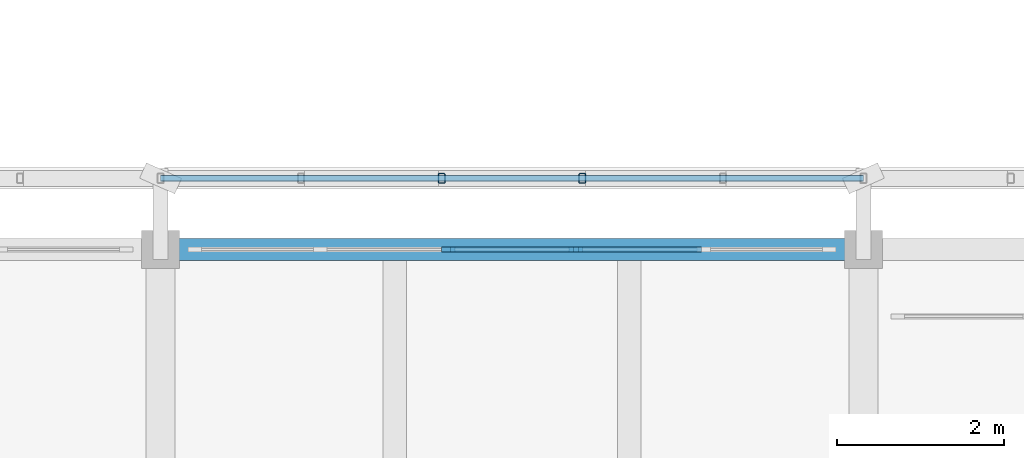
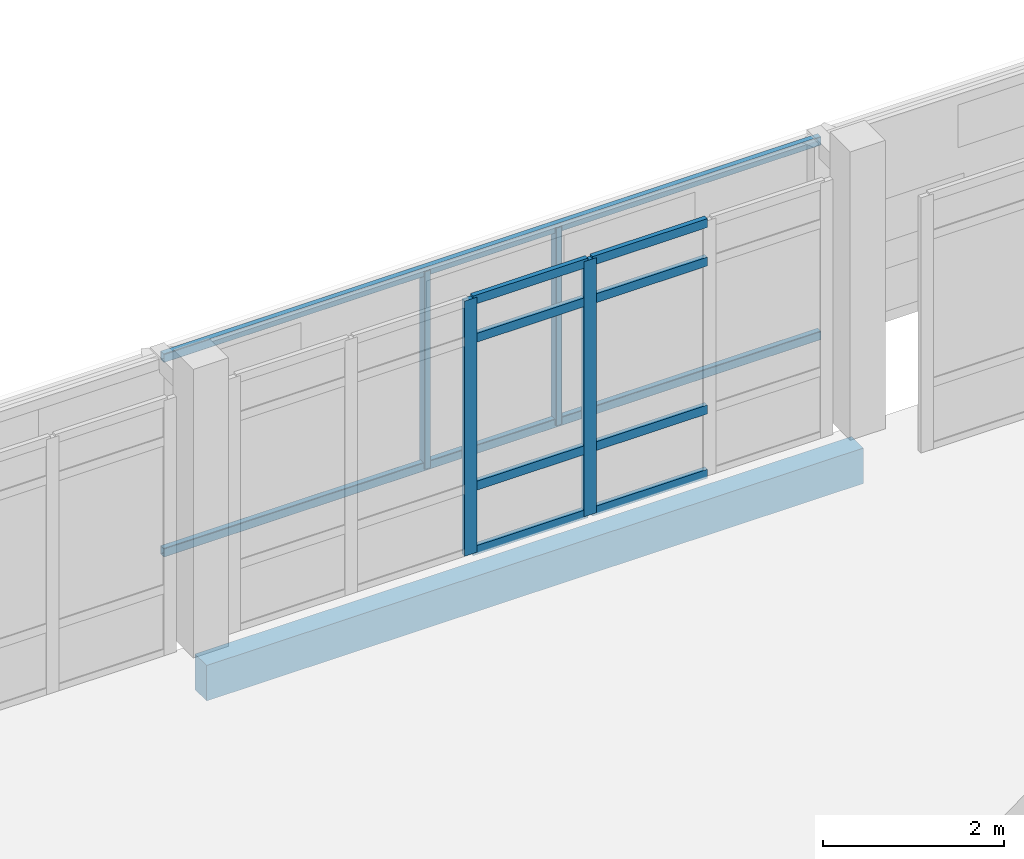
# One storey, part 15 of 117: 14 members, 1 beam, 1 element without a shape of its own.
"""IFC4 building model written with IfcOpenShell, lengths in metres."""

from ifc_helpers import new_model, si_unit, direction, frame, origin, origin_2d, place, context, subcontext, project, spatial, rectangle, hollow_rectangle, extrude, material, material_profile, profile_set, type_object, element, aggregate, save


model = new_model("IFC4")

# Units and contexts
model_context = context("Model", 3, precision=1e-05, world=origin(), true_north=direction((0.0, 1.0)))
body_context = subcontext(model_context, "Body", "Model", "MODEL_VIEW")
ifc_project = project(units=[si_unit("LENGTHUNIT", "METRE"), si_unit("AREAUNIT", "SQUARE_METRE"), si_unit("VOLUMEUNIT", "CUBIC_METRE"), si_unit("PLANEANGLEUNIT", "RADIAN"), si_unit("MASSUNIT", "GRAM", prefix="KILO")], contexts=[model_context])

# Site, building, storey
site_placement = place(None, origin())
site = spatial("IfcSite", under=ifc_project, at=site_placement, CompositionType="ELEMENT")
building_placement = place(site_placement, origin())
building = spatial("IfcBuilding", under=site, at=building_placement, Name="Cinderway Yard Community Centre", CompositionType="ELEMENT")
storey_placement = place(building_placement, frame((0.0, 0.0, 9.0)))
storey = spatial("IfcBuildingStorey", under=building, at=storey_placement, Name="L02", CompositionType="ELEMENT", Elevation=9.0)

# Curtain wall, members
ifc_material_1 = material(Name="Aluminium 6063-T6", Category="aluminium")
curtain_wall_type = type_object("IfcCurtainWallType", Name="ENV-CW-TYPE-29", PredefinedType="USERDEFINED", material=ifc_material_1)
curtain_wall_placement = place(storey_placement, origin())
curtain_wall = element("IfcCurtainWall", 1, at=curtain_wall_placement, inside=storey, type_object=curtain_wall_type, Name="Dining Courtyard Curtain Wall ENV-CW-L02-ST-0102", ObjectType="GLAZED CURTAIN WALL", PredefinedType="USERDEFINED")
ifc_material_profile_1 = material_profile(ifc_material_1, rectangle(XDim=0.06005859375, YDim=0.159912109375, at=origin_2d()), Name="Aluminium 6063-T6")
ifc_profile_set_1 = profile_set([ifc_material_profile_1], Name="Aluminium 6063-T6")
member_type_1 = type_object("IfcMemberType", Name="ENV-CW-MULL-150", PredefinedType="MULLION", material=ifc_profile_set_1)
member_1_placement = place(storey_placement, frame((70.236083984375, 22.800048828125, 0.0), z_axis=(0.0, 0.0, 1.0), x_axis=(0.0, 1.0, 0.0)))
member_1 = element("IfcMember", 2, at=member_1_placement, type_object=member_type_1, Name="CW-29 mullion 3", PredefinedType="MULLION", context=body_context, shape_type="SweptSolid", body=[
    extrude(rectangle(XDim=0.06005859375, YDim=0.159912109375, at=origin_2d()), origin(), (0.0, 0.0, 1.0), 3.449951171875),
])
member_2_placement = place(storey_placement, frame((71.763916015625, 22.800048828125, 0.0), z_axis=(0.0, 0.0, 1.0), x_axis=(0.0, 1.0, 0.0)))
member_2 = element("IfcMember", 3, at=member_2_placement, type_object=member_type_1, Name="CW-29 mullion 4", PredefinedType="MULLION", context=body_context, shape_type="SweptSolid", body=[
    extrude(rectangle(XDim=0.06005859375, YDim=0.159912109375, at=origin_2d()), origin(), (0.0, 0.0, 1.0), 3.449951171875),
])
ifc_material_profile_2 = material_profile(ifc_material_1, rectangle(XDim=0.06005859375, YDim=0.1201171875, at=origin_2d()), Name="Aluminium 6063-T6")
ifc_profile_set_2 = profile_set([ifc_material_profile_2], Name="Aluminium 6063-T6")
member_type_2 = type_object("IfcMemberType", Name="ENV-CW-TRAN-110", PredefinedType="USERDEFINED", material=ifc_profile_set_2)
member_3_placement = place(storey_placement, frame((70.26611328125, 22.800048828125, 0.030029296875), z_axis=(1.0, 0.0, 0.0), x_axis=(0.0, 1.0, 0.0)))
member_3 = element("IfcMember", 4, at=member_3_placement, type_object=member_type_2, Name="CW-29 transom 3.1", ObjectType="TRANSOM", PredefinedType="USERDEFINED", context=body_context, shape_type="SweptSolid", body=[
    extrude(rectangle(XDim=0.06005859375, YDim=0.1201171875, at=origin_2d()), origin(), (0.0, 0.0, 1.0), 1.4677734375),
])
member_4_placement = place(storey_placement, frame((70.26611328125, 22.800048828125, 0.89990234375), z_axis=(1.0, 0.0, 0.0), x_axis=(0.0, 1.0, 0.0)))
member_4 = element("IfcMember", 5, at=member_4_placement, type_object=member_type_2, Name="CW-29 transom 3.2", ObjectType="TRANSOM", PredefinedType="USERDEFINED", context=body_context, shape_type="SweptSolid", body=[
    extrude(rectangle(XDim=0.06005859375, YDim=0.1201171875, at=origin_2d()), origin(), (0.0, 0.0, 1.0), 1.4677734375),
])
member_5_placement = place(storey_placement, frame((70.26611328125, 22.800048828125, 2.89990234375), z_axis=(1.0, 0.0, 0.0), x_axis=(0.0, 1.0, 0.0)))
member_5 = element("IfcMember", 6, at=member_5_placement, type_object=member_type_2, Name="CW-29 transom 3.3", ObjectType="TRANSOM", PredefinedType="USERDEFINED", context=body_context, shape_type="SweptSolid", body=[
    extrude(rectangle(XDim=0.06005859375, YDim=0.1201171875, at=origin_2d()), origin(), (0.0, 0.0, 1.0), 1.4677734375),
])
member_6_placement = place(storey_placement, frame((70.26611328125, 22.800048828125, 3.419921875), z_axis=(1.0, 0.0, 0.0), x_axis=(0.0, 1.0, 0.0)))
member_6 = element("IfcMember", 7, at=member_6_placement, type_object=member_type_2, Name="CW-29 transom 3.4", ObjectType="TRANSOM", PredefinedType="USERDEFINED", context=body_context, shape_type="SweptSolid", body=[
    extrude(rectangle(XDim=0.06005859375, YDim=0.1201171875, at=origin_2d()), origin(), (0.0, 0.0, 1.0), 1.4677734375),
])
member_7_placement = place(storey_placement, frame((71.7939453125, 22.800048828125, 0.030029296875), z_axis=(1.0, 0.0, 0.0), x_axis=(0.0, 1.0, 0.0)))
member_7 = element("IfcMember", 8, at=member_7_placement, type_object=member_type_2, Name="CW-29 transom 4.1", ObjectType="TRANSOM", PredefinedType="USERDEFINED", context=body_context, shape_type="SweptSolid", body=[
    extrude(rectangle(XDim=0.06005859375, YDim=0.1201171875, at=origin_2d()), origin(), (0.0, 0.0, 1.0), 1.468017578125),
])
member_8_placement = place(storey_placement, frame((71.7939453125, 22.800048828125, 0.89990234375), z_axis=(1.0, 0.0, 0.0), x_axis=(0.0, 1.0, 0.0)))
member_8 = element("IfcMember", 9, at=member_8_placement, type_object=member_type_2, Name="CW-29 transom 4.2", ObjectType="TRANSOM", PredefinedType="USERDEFINED", context=body_context, shape_type="SweptSolid", body=[
    extrude(rectangle(XDim=0.06005859375, YDim=0.1201171875, at=origin_2d()), origin(), (0.0, 0.0, 1.0), 1.468017578125),
])
member_9_placement = place(storey_placement, frame((71.7939453125, 22.800048828125, 2.89990234375), z_axis=(1.0, 0.0, 0.0), x_axis=(0.0, 1.0, 0.0)))
member_9 = element("IfcMember", 10, at=member_9_placement, type_object=member_type_2, Name="CW-29 transom 4.3", ObjectType="TRANSOM", PredefinedType="USERDEFINED", context=body_context, shape_type="SweptSolid", body=[
    extrude(rectangle(XDim=0.06005859375, YDim=0.1201171875, at=origin_2d()), origin(), (0.0, 0.0, 1.0), 1.468017578125),
])
member_10_placement = place(storey_placement, frame((71.7939453125, 22.800048828125, 3.419921875), z_axis=(1.0, 0.0, 0.0), x_axis=(0.0, 1.0, 0.0)))
member_10 = element("IfcMember", 11, at=member_10_placement, type_object=member_type_2, Name="CW-29 transom 4.4", ObjectType="TRANSOM", PredefinedType="USERDEFINED", context=body_context, shape_type="SweptSolid", body=[
    extrude(rectangle(XDim=0.06005859375, YDim=0.1201171875, at=origin_2d()), origin(), (0.0, 0.0, 1.0), 1.468017578125),
])
aggregate(curtain_wall, [member_1, member_2, member_3, member_4, member_5, member_6, member_7, member_8, member_9, member_10])

# Members
ifc_material_2 = material(Name="Steel S355", Category="steel")
ifc_material_profile_3 = material_profile(ifc_material_2, hollow_rectangle(XDim=0.080078125, YDim=0.1201171875, WallThickness=0.00634765625, InnerFilletRadius=0.00634765625, OuterFilletRadius=0.0126953125, at=origin_2d()), Name="Steel S355")
ifc_profile_set_3 = profile_set([ifc_material_profile_3], Name="Steel S355")
member_type_3 = type_object("IfcMemberType", Name="ENV-MEM-SCREEN-RAIL-120", PredefinedType="STRINGER", material=ifc_profile_set_3)
for number, where, z_axis, x_axis, name in (
    (12, (66.800048828125, 23.64990234375, 0.7099609375), (1.0, 0.0, 0.0), (0.0, 1.0, 0.0), "Screen support rail 0700-BOT"),
    (13, (66.800048828125, 23.64990234375, 3.340087890625), (1.0, 0.0, 0.0), (0.0, 1.0, 0.0), "Screen support rail 0701-TOP"),
):
    element("IfcMember", number, at=place(storey_placement, frame(where, z_axis=z_axis, x_axis=x_axis)), inside=storey, type_object=member_type_3, Name=name, PredefinedType="STRINGER", context=body_context, shape_type="SweptSolid", body=[
        extrude(hollow_rectangle(XDim=0.080078125, YDim=0.1201171875, WallThickness=0.00634765625, InnerFilletRadius=0.00634765625, OuterFilletRadius=0.0126953125, at=origin_2d()), origin(), (0.0, 0.0, 1.0), 8.39990234375),
    ])
for number, where, z_axis, x_axis, name in (
    (14, (70.159912109375, 23.64990234375, 0.68994140625), (0.0, 0.0, 1.0), (1.0, 0.0, 0.0), "Screen vertical mullion 0703"),
    (15, (71.840087890625, 23.64990234375, 0.68994140625), (0.0, 0.0, 1.0), (1.0, 0.0, 0.0), "Screen vertical mullion 0704"),
):
    element("IfcMember", number, at=place(storey_placement, frame(where, z_axis=z_axis, x_axis=x_axis)), inside=storey, type_object=member_type_3, Name=name, PredefinedType="STRINGER", context=body_context, shape_type="SweptSolid", body=[
        extrude(hollow_rectangle(XDim=0.080078125, YDim=0.1201171875, WallThickness=0.00634765625, InnerFilletRadius=0.00634765625, OuterFilletRadius=0.0126953125, at=origin_2d()), origin(), (0.0, 0.0, 1.0), 2.670166015625),
    ])

# Beam
ifc_material_3 = material(Name="Concrete C40/50", Category="concrete")
ifc_material_profile_4 = material_profile(ifc_material_3, rectangle(XDim=0.260009765625, YDim=0.47998046875, at=origin_2d()), Name="Concrete C40/50")
ifc_profile_set_4 = profile_set([ifc_material_profile_4], Name="Concrete C40/50")
beam_type = type_object("IfcBeamType", Name="STR-BM-RC260X480", PredefinedType="SPANDREL", material=ifc_profile_set_4)
beam_placement = place(storey_placement, frame((66.800048828125, 22.800048828125, -0.47998046875), z_axis=(1.0, 0.0, 0.0), x_axis=(0.0, 1.0, 0.0)))
element("IfcBeam", 16, at=beam_placement, inside=storey, type_object=beam_type, Name="Primary girder STR-BM-L02-SP01-0450", PredefinedType="SPANDREL", context=body_context, shape_type="SweptSolid", body=[
    extrude(rectangle(XDim=0.260009765625, YDim=0.47998046875, at=origin_2d()), origin(), (0.0, 0.0, 1.0), 8.39990234375),
])

save(model, "model.ifc")
